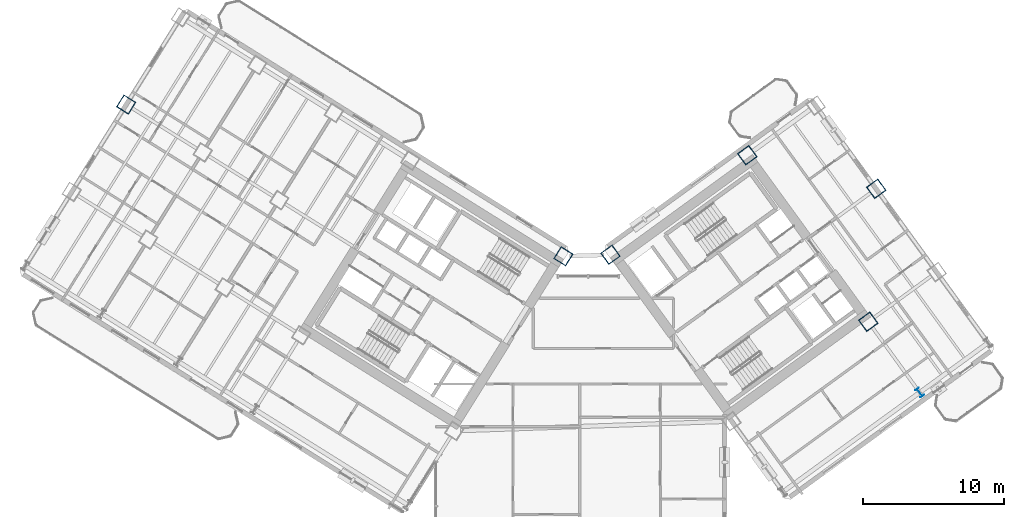
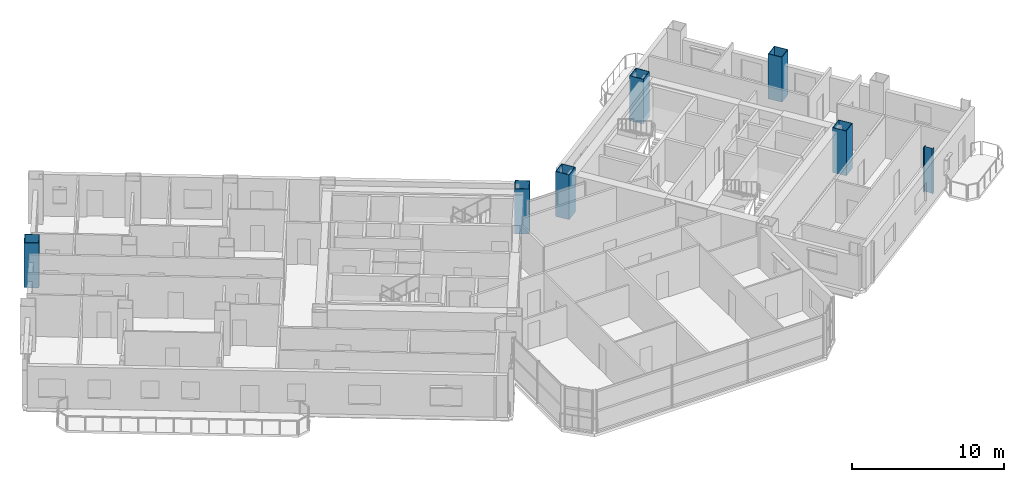
# One storey, part 2 of 25: 7 columns.
"""IFC4 building model written with IfcOpenShell, lengths in metres."""

from ifc_helpers import new_model, si_unit, direction, frame, origin, origin_2d, place, context, subcontext, project, spatial, hollow_rectangle, i_section, extrude, source, transform, mapped, material, material_profile, profile_set, type_object, element, save


model = new_model("IFC4")

# Units and contexts
model_context = context("Model", 3, precision=1e-05, world=origin(), true_north=direction((0.0, 1.0)))
body_context = subcontext(model_context, "Body", "Model", "MODEL_VIEW")
ifc_project = project(units=[si_unit("LENGTHUNIT", "METRE"), si_unit("AREAUNIT", "SQUARE_METRE"), si_unit("VOLUMEUNIT", "CUBIC_METRE"), si_unit("PLANEANGLEUNIT", "RADIAN"), si_unit("MASSUNIT", "GRAM", prefix="KILO")], contexts=[model_context])

# Site, building, storey
site_placement = place(None, origin())
site = spatial("IfcSite", under=ifc_project, at=site_placement, CompositionType="ELEMENT")
building_placement = place(site_placement, origin())
building = spatial("IfcBuilding", under=site, at=building_placement, Name="Tlacorven Tower", CompositionType="ELEMENT")
storey_placement = place(building_placement, frame((0.0, 0.0, 52.800048828125)))
storey = spatial("IfcBuildingStorey", under=building, at=storey_placement, Name="L13", CompositionType="ELEMENT", Elevation=52.800048828125)

# Columns
ifc_material = material(Name="Steel S460M", Category="steel")
ifc_material_profile_1 = material_profile(ifc_material, hollow_rectangle(XDim=1.0, YDim=1.0, WallThickness=0.0400390625, at=origin_2d()), Name="BOX 1000X1000X40")
ifc_profile_set_1 = profile_set([ifc_material_profile_1], Name="Steel S460M")
column_type_1 = type_object("IfcColumnType", Name="COL-TWR-S1", PredefinedType="COLUMN", material=ifc_profile_set_1)
shared_shape_1 = source(origin(), body_context, "Body", "SweptSolid", [
    extrude(hollow_rectangle(XDim=1.0, YDim=1.0, WallThickness=0.0400390625, at=origin_2d()), origin(), (0.0, 0.0, 1.0), 3.599853515625),
])
for number, where, z_axis, x_axis, name in (
    (1, (40.782958984375, 24.468505859375, 0.0), (0.0, 0.0, 1.0), (-0.848048096156, 0.529919264233, 0.0), "L13 column COL-L13-W1-1"),
    (2, (9.777099609375, 35.235107421875, 0.0), (0.0, 0.0, 1.0), (-0.848048096156, 0.529919264233, 0.0), "L13 column COL-L13-W6-2"),
    (3, (44.123779296875, 24.5849609375, 0.0), (0.0, 0.0, 1.0), (0.809016994375, 0.587785252292, 0.0), "L13 column COL-L13-E1-4"),
    (4, (62.41357421875, 19.826904296875, 0.0), (0.0, 0.0, 1.0), (0.809016994375, 0.587785252292, 0.0), "L13 column COL-L13-E3-2"),
    (5, (53.83203125, 31.638427734375, 0.0), (0.0, 0.0, 1.0), (0.809016994375, 0.587785252292, 0.0), "L13 column COL-L13-E3-4"),
    (6, (62.976806640625, 29.25927734375, 0.0), (0.0, 0.0, 1.0), (0.809016994375, 0.587785252292, 0.0), "L13 column COL-L13-E4-3"),
):
    element("IfcColumn", number, at=place(storey_placement, frame(where, z_axis=z_axis, x_axis=x_axis)), inside=storey, type_object=column_type_1, Name=name, PredefinedType="COLUMN", context=body_context, shape_type="MappedRepresentation", body=[
        mapped(shared_shape_1, transform((0.0, 0.0, 0.0), scale=1.0)),
    ])
ifc_material_profile_2 = material_profile(ifc_material, i_section(OverallWidth=0.300048828125, OverallDepth=0.64990234375, WebThickness=0.01611328125, FlangeThickness=0.031005859375, at=origin_2d()), Name="HEB 650")
ifc_profile_set_2 = profile_set([ifc_material_profile_2], Name="Steel S460M")
column_type_2 = type_object("IfcColumnType", Name="COL-TWR-P1", PredefinedType="COLUMN", material=ifc_profile_set_2)
shared_shape_2 = source(origin(), body_context, "Body", "SweptSolid", [
    extrude(i_section(OverallWidth=0.300048828125, OverallDepth=0.64990234375, WebThickness=0.01611328125, FlangeThickness=0.031005859375, at=origin_2d()), origin(), (0.0, 0.0, 1.0), 3.599853515625),
])
column_placement = place(storey_placement, frame((66.057861328125, 14.81103515625, 0.0), z_axis=(0.0, 0.0, 1.0), x_axis=(0.809016994375, 0.587785252292, 0.0)))
element("IfcColumn", 7, at=column_placement, inside=storey, type_object=column_type_2, Name="L13 column COL-L13-E3-1", PredefinedType="COLUMN", context=body_context, shape_type="MappedRepresentation", body=[
    mapped(shared_shape_2, transform((0.0, 0.0, 0.0), scale=1.0)),
])

save(model, "model.ifc")
